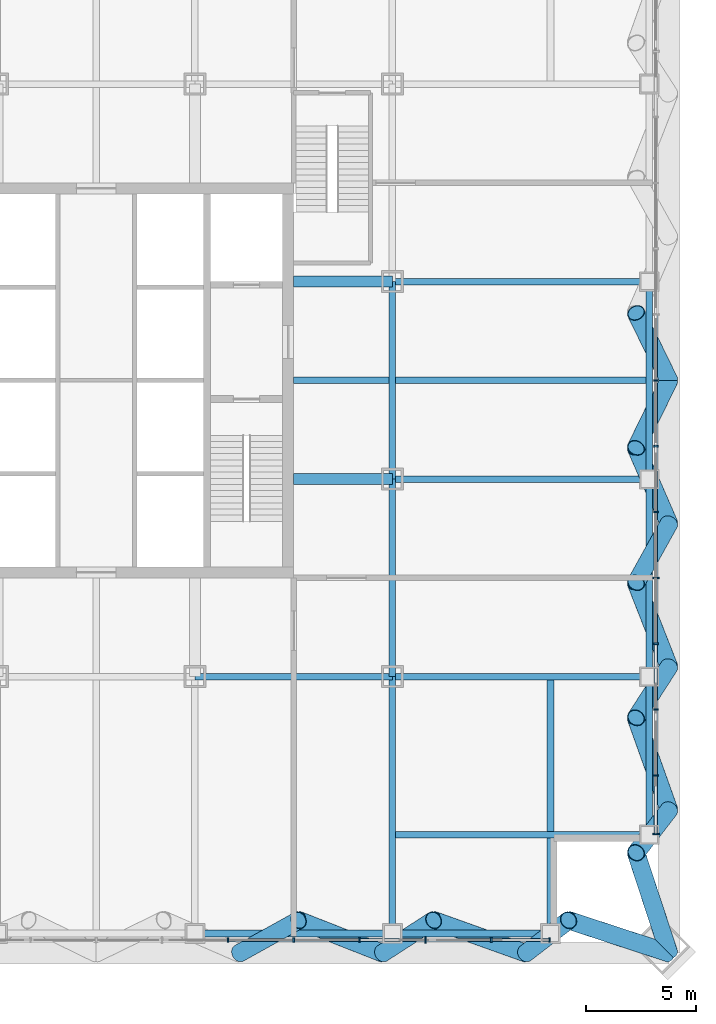
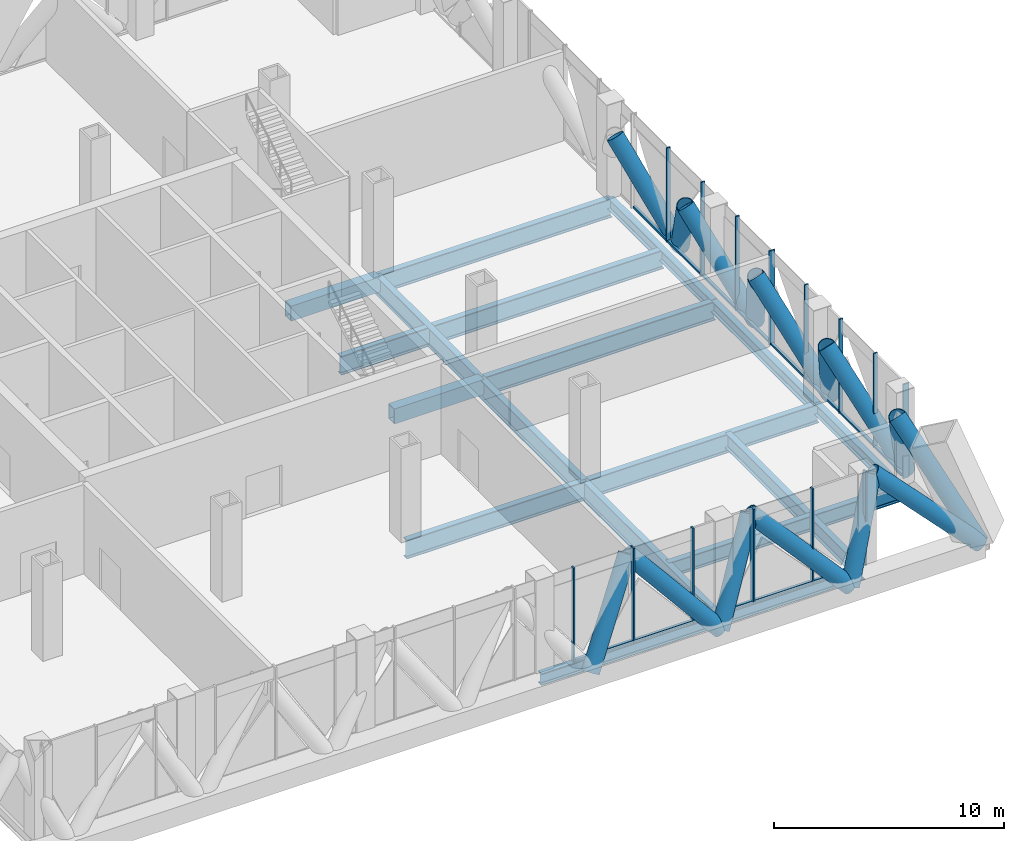
# One storey, part 7 of 26: 42 members, 17 beams, 2 elements without a shape of their own.
"""IFC4 building model written with IfcOpenShell, lengths in metres."""

from ifc_helpers import new_model, si_unit, direction, frame, origin, origin_2d, place, context, subcontext, project, spatial, rectangle, hollow_rectangle, hollow_circle, i_section, extrude, material, layer, layer_set, material_profile, profile_set, type_object, element, aggregate, save


model = new_model("IFC4")

# Units and contexts
model_context = context("Model", 3, precision=1e-05, world=origin(), true_north=direction((0.0, 1.0)))
body_context = subcontext(model_context, "Body", "Model", "MODEL_VIEW")
ifc_project = project(units=[si_unit("LENGTHUNIT", "METRE"), si_unit("AREAUNIT", "SQUARE_METRE"), si_unit("VOLUMEUNIT", "CUBIC_METRE"), si_unit("PLANEANGLEUNIT", "RADIAN"), si_unit("MASSUNIT", "GRAM", prefix="KILO")], contexts=[model_context])

# Site, building, storey
site_placement = place(None, origin())
site = spatial("IfcSite", under=ifc_project, at=site_placement, CompositionType="ELEMENT")
building_placement = place(site_placement, origin())
building = spatial("IfcBuilding", under=site, at=building_placement, Name="Malebo Sky Hospital", CompositionType="ELEMENT")
storey_placement = place(building_placement, frame((0.0, 0.0, 95.0)))
storey = spatial("IfcBuildingStorey", under=building, at=storey_placement, Name="L22", CompositionType="ELEMENT", Elevation=95.0)

# Curtain wall, members
ifc_material_1 = material(Name="Anodised aluminium, natural silver", Category="aluminium")
ifc_layer = layer(ifc_material_1, 0.25)
ifc_layer_set = layer_set([ifc_layer], Name="PLANT LOUVRE SCREEN")
curtain_wall_type = type_object("IfcCurtainWallType", Name="PLANT LOUVRE SCREEN", PredefinedType="NOTDEFINED", material=ifc_layer_set)
curtain_wall_1_placement = place(storey_placement, origin())
curtain_wall_1 = element("IfcCurtainWall", 1, at=curtain_wall_1_placement, inside=storey, type_object=curtain_wall_type, Name="PLANT curtain wall S", PredefinedType="NOTDEFINED")
ifc_material_profile_1 = material_profile(ifc_material_1, rectangle(XDim=0.14990234375, YDim=0.10009765625, at=origin_2d()), Name="ALUMINIUM TRANSOM 150x100")
ifc_profile_set_1 = profile_set([ifc_material_profile_1], Name="Anodised aluminium, natural silver")
member_type_1 = type_object("IfcMemberType", Name="ALUMINIUM TRANSOM 150x100", PredefinedType="USERDEFINED", material=ifc_profile_set_1)
member_1_placement = place(storey_placement, frame((80.625, 36.5, 0.050048828125), z_axis=(-1.0, 0.0, 0.0), x_axis=(0.0, -1.0, 0.0)))
member_1 = element("IfcMember", 2, at=member_1_placement, type_object=member_type_1, Name="Transom 1", ObjectType="TRANSOM", PredefinedType="USERDEFINED", context=body_context, shape_type="SweptSolid", body=[
    extrude(rectangle(XDim=0.14990234375, YDim=0.10009765625, at=origin_2d()), origin(), (0.0, 0.0, 1.0), 2.58740234375),
])
member_2_placement = place(storey_placement, frame((77.96240234375, 36.5, 0.050048828125), z_axis=(-1.0, 0.0, 0.0), x_axis=(0.0, -1.0, 0.0)))
member_2 = element("IfcMember", 3, at=member_2_placement, type_object=member_type_1, Name="Transom 2", ObjectType="TRANSOM", PredefinedType="USERDEFINED", context=body_context, shape_type="SweptSolid", body=[
    extrude(rectangle(XDim=0.14990234375, YDim=0.10009765625, at=origin_2d()), origin(), (0.0, 0.0, 1.0), 2.9248046875),
])
member_3_placement = place(storey_placement, frame((74.96240234375, 36.5, 0.050048828125), z_axis=(-1.0, 0.0, 0.0), x_axis=(0.0, -1.0, 0.0)))
member_3 = element("IfcMember", 4, at=member_3_placement, type_object=member_type_1, Name="Transom 3", ObjectType="TRANSOM", PredefinedType="USERDEFINED", context=body_context, shape_type="SweptSolid", body=[
    extrude(rectangle(XDim=0.14990234375, YDim=0.10009765625, at=origin_2d()), origin(), (0.0, 0.0, 1.0), 2.9248046875),
])
member_4_placement = place(storey_placement, frame((71.96240234375, 36.5, 0.050048828125), z_axis=(-1.0, 0.0, 0.0), x_axis=(0.0, -1.0, 0.0)))
member_4 = element("IfcMember", 5, at=member_4_placement, type_object=member_type_1, Name="Transom 4", ObjectType="TRANSOM", PredefinedType="USERDEFINED", context=body_context, shape_type="SweptSolid", body=[
    extrude(rectangle(XDim=0.14990234375, YDim=0.10009765625, at=origin_2d()), origin(), (0.0, 0.0, 1.0), 2.9248046875),
])
member_5_placement = place(storey_placement, frame((68.96240234375, 36.5, 0.050048828125), z_axis=(-1.0, 0.0, 0.0), x_axis=(0.0, -1.0, 0.0)))
member_5 = element("IfcMember", 6, at=member_5_placement, type_object=member_type_1, Name="Transom 5", ObjectType="TRANSOM", PredefinedType="USERDEFINED", context=body_context, shape_type="SweptSolid", body=[
    extrude(rectangle(XDim=0.14990234375, YDim=0.10009765625, at=origin_2d()), origin(), (0.0, 0.0, 1.0), 2.9248046875),
])

curtain_wall_2_placement = place(storey_placement, origin())
curtain_wall_2 = element("IfcCurtainWall", 7, at=curtain_wall_2_placement, inside=storey, type_object=curtain_wall_type, Name="PLANT curtain wall E", PredefinedType="NOTDEFINED")
member_6_placement = place(storey_placement, frame((85.5, 64.96240234375, 0.050048828125), z_axis=(0.0, -1.0, 0.0), x_axis=(1.0, 0.0, 0.0)))
member_6 = element("IfcMember", 8, at=member_6_placement, type_object=member_type_1, Name="Transom 7", ObjectType="TRANSOM", PredefinedType="USERDEFINED", context=body_context, shape_type="SweptSolid", body=[
    extrude(rectangle(XDim=0.14990234375, YDim=0.10009765625, at=origin_2d()), origin(), (0.0, 0.0, 1.0), 2.9248046875),
])
member_7_placement = place(storey_placement, frame((85.5, 61.96240234375, 0.050048828125), z_axis=(0.0, -1.0, 0.0), x_axis=(1.0, 0.0, 0.0)))
member_7 = element("IfcMember", 9, at=member_7_placement, type_object=member_type_1, Name="Transom 8", ObjectType="TRANSOM", PredefinedType="USERDEFINED", context=body_context, shape_type="SweptSolid", body=[
    extrude(rectangle(XDim=0.14990234375, YDim=0.10009765625, at=origin_2d()), origin(), (0.0, 0.0, 1.0), 2.9248046875),
])
member_8_placement = place(storey_placement, frame((85.5, 58.96240234375, 0.050048828125), z_axis=(0.0, -1.0, 0.0), x_axis=(1.0, 0.0, 0.0)))
member_8 = element("IfcMember", 10, at=member_8_placement, type_object=member_type_1, Name="Transom 9", ObjectType="TRANSOM", PredefinedType="USERDEFINED", context=body_context, shape_type="SweptSolid", body=[
    extrude(rectangle(XDim=0.14990234375, YDim=0.10009765625, at=origin_2d()), origin(), (0.0, 0.0, 1.0), 2.9248046875),
])
member_9_placement = place(storey_placement, frame((85.5, 55.96240234375, 0.050048828125), z_axis=(0.0, -1.0, 0.0), x_axis=(1.0, 0.0, 0.0)))
member_9 = element("IfcMember", 11, at=member_9_placement, type_object=member_type_1, Name="Transom 10", ObjectType="TRANSOM", PredefinedType="USERDEFINED", context=body_context, shape_type="SweptSolid", body=[
    extrude(rectangle(XDim=0.14990234375, YDim=0.10009765625, at=origin_2d()), origin(), (0.0, 0.0, 1.0), 2.9248046875),
])
member_10_placement = place(storey_placement, frame((85.5, 52.96240234375, 0.050048828125), z_axis=(0.0, -1.0, 0.0), x_axis=(1.0, 0.0, 0.0)))
member_10 = element("IfcMember", 12, at=member_10_placement, type_object=member_type_1, Name="Transom 11", ObjectType="TRANSOM", PredefinedType="USERDEFINED", context=body_context, shape_type="SweptSolid", body=[
    extrude(rectangle(XDim=0.14990234375, YDim=0.10009765625, at=origin_2d()), origin(), (0.0, 0.0, 1.0), 2.9248046875),
])
member_11_placement = place(storey_placement, frame((85.5, 49.96240234375, 0.050048828125), z_axis=(0.0, -1.0, 0.0), x_axis=(1.0, 0.0, 0.0)))
member_11 = element("IfcMember", 13, at=member_11_placement, type_object=member_type_1, Name="Transom 12", ObjectType="TRANSOM", PredefinedType="USERDEFINED", context=body_context, shape_type="SweptSolid", body=[
    extrude(rectangle(XDim=0.14990234375, YDim=0.10009765625, at=origin_2d()), origin(), (0.0, 0.0, 1.0), 2.9248046875),
])
member_12_placement = place(storey_placement, frame((85.5, 46.96240234375, 0.050048828125), z_axis=(0.0, -1.0, 0.0), x_axis=(1.0, 0.0, 0.0)))
member_12 = element("IfcMember", 14, at=member_12_placement, type_object=member_type_1, Name="Transom 13", ObjectType="TRANSOM", PredefinedType="USERDEFINED", context=body_context, shape_type="SweptSolid", body=[
    extrude(rectangle(XDim=0.14990234375, YDim=0.10009765625, at=origin_2d()), origin(), (0.0, 0.0, 1.0), 2.9248046875),
])
member_13_placement = place(storey_placement, frame((85.5, 43.96240234375, 0.050048828125), z_axis=(0.0, -1.0, 0.0), x_axis=(1.0, 0.0, 0.0)))
member_13 = element("IfcMember", 15, at=member_13_placement, type_object=member_type_1, Name="Transom 14", ObjectType="TRANSOM", PredefinedType="USERDEFINED", context=body_context, shape_type="SweptSolid", body=[
    extrude(rectangle(XDim=0.14990234375, YDim=0.10009765625, at=origin_2d()), origin(), (0.0, 0.0, 1.0), 2.58740234375),
])

# Members
ifc_material_2 = material(Name="Steel S460", Category="steel")
ifc_material_profile_2 = material_profile(ifc_material_2, hollow_circle(Radius=0.406494140625, WallThickness=0.030029296875, at=origin_2d()), Name="CHS 813x30")
ifc_profile_set_2 = profile_set([ifc_material_profile_2], Name="Steel S460")
member_type_2 = type_object("IfcMemberType", Name="BELT TRUSS DIAGONAL CHS 813x30", PredefinedType="BRACE", material=ifc_profile_set_2)
member_14_placement = place(storey_placement, frame((66.52490234375, 35.89990234375, -0.39990234375), z_axis=(0.498473451586, 0.276909664245, 0.821489656606), x_axis=(-0.48561608749, 0.874172188743, 0.0)))
element("IfcMember", 16, at=member_14_placement, inside=storey, type_object=member_type_2, Name="Belt truss diagonal S6.1 L22", PredefinedType="BRACE", context=body_context, shape_type="SweptSolid", body=[
    extrude(hollow_circle(Radius=0.406494140625, WallThickness=0.030029296875, at=origin_2d()), origin(), (0.0, 0.0, 1.0), 5.4169921875),
])
member_15_placement = place(storey_placement, frame((69.22509765625, 37.39990234375, 4.050048828125), z_axis=(0.631535133578, -0.247663998258, -0.734728466186), x_axis=(0.365091568196, 0.930971614408, 0.0)))
element("IfcMember", 17, at=member_15_placement, inside=storey, type_object=member_type_2, Name="Belt truss diagonal S6.2 L22", PredefinedType="BRACE", context=body_context, shape_type="SweptSolid", body=[
    extrude(hollow_circle(Radius=0.406494140625, WallThickness=0.030029296875, at=origin_2d()), origin(), (0.0, 0.0, 1.0), 6.056640625),
])
member_16_placement = place(storey_placement, frame((73.050048828125, 35.89990234375, -0.39990234375), z_axis=(0.443694075542, 0.286260254135, 0.849229435566), x_axis=(-0.542134909125, 0.840291461523, 0.0)))
element("IfcMember", 18, at=member_16_placement, inside=storey, type_object=member_type_2, Name="Belt truss diagonal S7.1 L22", PredefinedType="BRACE", context=body_context, shape_type="SweptSolid", body=[
    extrude(hollow_circle(Radius=0.406494140625, WallThickness=0.030029296875, at=origin_2d()), origin(), (0.0, 0.0, 1.0), 5.239990234375),
])
member_17_placement = place(storey_placement, frame((75.375, 37.39990234375, 4.050048828125), z_axis=(0.666645015044, -0.238090273349, -0.706326727269), x_axis=(0.336339864867, 0.941740673063, 0.0)))
element("IfcMember", 19, at=member_17_placement, inside=storey, type_object=member_type_2, Name="Belt truss diagonal S7.2 L22", PredefinedType="BRACE", context=body_context, shape_type="SweptSolid", body=[
    extrude(hollow_circle(Radius=0.406494140625, WallThickness=0.030029296875, at=origin_2d()), origin(), (0.0, 0.0, 1.0), 6.300048828125),
])
member_18_placement = place(storey_placement, frame((79.574951171875, 35.89990234375, -0.39990234375), z_axis=(0.383492358509, 0.295001508786, 0.875161539819), x_axis=(-0.609720352615, 0.792616610731, 0.0)))
element("IfcMember", 20, at=member_18_placement, inside=storey, type_object=member_type_2, Name="Belt truss diagonal S8.1 L22", PredefinedType="BRACE", context=body_context, shape_type="SweptSolid", body=[
    extrude(hollow_circle(Radius=0.406494140625, WallThickness=0.030029296875, at=origin_2d()), origin(), (0.0, 0.0, 1.0), 5.084716796875),
])
for number, where, z_axis, x_axis, name in (
    (21, (81.52490234375, 37.39990234375, 4.050048828125), (0.697836710341, -0.228789154127, -0.678733709679), (0.311538660116, 0.950233478285, 0.0), "Belt truss diagonal S8.2 L22"),
    (22, (86.10009765625, 35.89990234375, -0.39990234375), (-0.228789154127, 0.697836710341, 0.678733709679), (-0.950233478285, -0.311538660116, 0.0), "Belt truss diagonal E1.1 L22"),
):
    element("IfcMember", number, at=place(storey_placement, frame(where, z_axis=z_axis, x_axis=x_axis)), inside=storey, type_object=member_type_2, Name=name, PredefinedType="BRACE", context=body_context, shape_type="SweptSolid", body=[
        extrude(hollow_circle(Radius=0.406494140625, WallThickness=0.030029296875, at=origin_2d()), origin(), (0.0, 0.0, 1.0), 6.55615234375),
    ])
member_19_placement = place(storey_placement, frame((84.60009765625, 40.47509765625, 4.050048828125), z_axis=(0.295001508786, 0.383492358509, -0.875161539819), x_axis=(-0.792616610731, 0.609720352615, 0.0)))
element("IfcMember", 23, at=member_19_placement, inside=storey, type_object=member_type_2, Name="Belt truss diagonal E1.2 L22", PredefinedType="BRACE", context=body_context, shape_type="SweptSolid", body=[
    extrude(hollow_circle(Radius=0.406494140625, WallThickness=0.030029296875, at=origin_2d()), origin(), (0.0, 0.0, 1.0), 5.084716796875),
])
member_20_placement = place(storey_placement, frame((86.10009765625, 42.425048828125, -0.39990234375), z_axis=(-0.238090273349, 0.666645015044, 0.706326727269), x_axis=(-0.941740673063, -0.336339864867, 0.0)))
element("IfcMember", 24, at=member_20_placement, inside=storey, type_object=member_type_2, Name="Belt truss diagonal E2.1 L22", PredefinedType="BRACE", context=body_context, shape_type="SweptSolid", body=[
    extrude(hollow_circle(Radius=0.406494140625, WallThickness=0.030029296875, at=origin_2d()), origin(), (0.0, 0.0, 1.0), 6.300048828125),
])
member_21_placement = place(storey_placement, frame((84.60009765625, 46.625, 4.050048828125), z_axis=(0.286260254135, 0.443694075542, -0.849229435566), x_axis=(-0.840291461523, 0.542134909125, 0.0)))
element("IfcMember", 25, at=member_21_placement, inside=storey, type_object=member_type_2, Name="Belt truss diagonal E2.2 L22", PredefinedType="BRACE", context=body_context, shape_type="SweptSolid", body=[
    extrude(hollow_circle(Radius=0.406494140625, WallThickness=0.030029296875, at=origin_2d()), origin(), (0.0, 0.0, 1.0), 5.239990234375),
])
member_22_placement = place(storey_placement, frame((86.10009765625, 48.949951171875, -0.39990234375), z_axis=(-0.247663998258, 0.631535133578, 0.734728466186), x_axis=(-0.930971614408, -0.365091568196, 0.0)))
element("IfcMember", 26, at=member_22_placement, inside=storey, type_object=member_type_2, Name="Belt truss diagonal E3.1 L22", PredefinedType="BRACE", context=body_context, shape_type="SweptSolid", body=[
    extrude(hollow_circle(Radius=0.406494140625, WallThickness=0.030029296875, at=origin_2d()), origin(), (0.0, 0.0, 1.0), 6.056640625),
])
member_23_placement = place(storey_placement, frame((84.60009765625, 52.77490234375, 4.050048828125), z_axis=(0.276909664245, 0.498473451586, -0.821489656606), x_axis=(-0.874172188743, 0.48561608749, 0.0)))
element("IfcMember", 27, at=member_23_placement, inside=storey, type_object=member_type_2, Name="Belt truss diagonal E3.2 L22", PredefinedType="BRACE", context=body_context, shape_type="SweptSolid", body=[
    extrude(hollow_circle(Radius=0.406494140625, WallThickness=0.030029296875, at=origin_2d()), origin(), (0.0, 0.0, 1.0), 5.4169921875),
])
member_24_placement = place(storey_placement, frame((86.10009765625, 55.47509765625, -0.39990234375), z_axis=(-0.257421208857, 0.592060400775, 0.763674540013), x_axis=(-0.917067992724, -0.398730857498, 0.0)))
element("IfcMember", 28, at=member_24_placement, inside=storey, type_object=member_type_2, Name="Belt truss diagonal E4.1 L22", PredefinedType="BRACE", context=body_context, shape_type="SweptSolid", body=[
    extrude(hollow_circle(Radius=0.406494140625, WallThickness=0.030029296875, at=origin_2d()), origin(), (0.0, 0.0, 1.0), 5.826904296875),
])
for number, where, z_axis, x_axis, name in (
    (29, (84.60009765625, 58.925048828125, 4.050048828125), (0.26722989666, 0.547812589262, -0.792773327867), (-0.898765702371, 0.438429255686, 0.0), "Belt truss diagonal E4.2 L22"),
    (30, (86.10009765625, 62.0, -0.39990234375), (-0.26722989666, 0.547812589262, 0.792773327867), (-0.898765702371, -0.438429255686, 0.0), "Belt truss diagonal E5.1 L22"),
):
    element("IfcMember", number, at=place(storey_placement, frame(where, z_axis=z_axis, x_axis=x_axis)), inside=storey, type_object=member_type_2, Name=name, PredefinedType="BRACE", context=body_context, shape_type="SweptSolid", body=[
        extrude(hollow_circle(Radius=0.406494140625, WallThickness=0.030029296875, at=origin_2d()), origin(), (0.0, 0.0, 1.0), 5.613037109375),
    ])

# Member
ifc_material_profile_3 = material_profile(ifc_material_1, rectangle(XDim=0.074951171875, YDim=0.199951171875, at=origin_2d()), Name="CW5 ALUMINIUM FIN MULLION 75x200")
ifc_profile_set_3 = profile_set([ifc_material_profile_3], Name="Anodised aluminium, natural silver")
member_type_3 = type_object("IfcMemberType", Name="CW5 ALUMINIUM FIN MULLION 75x200", PredefinedType="MULLION", material=ifc_profile_set_3)
member_25_placement = place(storey_placement, frame((80.66259765625, 36.5, 0.0), z_axis=(0.0, 0.0, 1.0), x_axis=(-1.0, 0.0, 0.0)))
member_25 = element("IfcMember", 31, at=member_25_placement, type_object=member_type_3, Name="Fin mullion 1", PredefinedType="MULLION", context=body_context, shape_type="SweptSolid", body=[
    extrude(rectangle(XDim=0.074951171875, YDim=0.199951171875, at=origin_2d()), origin(), (0.0, 0.0, 1.0), 5.0),
])

member_26_placement = place(storey_placement, frame((78.0, 36.5, 0.0), z_axis=(0.0, 0.0, 1.0), x_axis=(-1.0, 0.0, 0.0)))
member_26 = element("IfcMember", 32, at=member_26_placement, type_object=member_type_3, Name="Fin mullion 2", PredefinedType="MULLION", context=body_context, shape_type="SweptSolid", body=[
    extrude(rectangle(XDim=0.074951171875, YDim=0.199951171875, at=origin_2d()), origin(), (0.0, 0.0, 1.0), 5.0),
])

member_27_placement = place(storey_placement, frame((72.0, 36.5, 0.0), z_axis=(0.0, 0.0, 1.0), x_axis=(-1.0, 0.0, 0.0)))
member_27 = element("IfcMember", 33, at=member_27_placement, type_object=member_type_3, Name="Fin mullion 4", PredefinedType="MULLION", context=body_context, shape_type="SweptSolid", body=[
    extrude(rectangle(XDim=0.074951171875, YDim=0.199951171875, at=origin_2d()), origin(), (0.0, 0.0, 1.0), 5.0),
])

member_28_placement = place(storey_placement, frame((69.0, 36.5, 0.0), z_axis=(0.0, 0.0, 1.0), x_axis=(-1.0, 0.0, 0.0)))
member_28 = element("IfcMember", 34, at=member_28_placement, type_object=member_type_3, Name="Fin mullion 5", PredefinedType="MULLION", context=body_context, shape_type="SweptSolid", body=[
    extrude(rectangle(XDim=0.074951171875, YDim=0.199951171875, at=origin_2d()), origin(), (0.0, 0.0, 1.0), 5.0),
])

member_29_placement = place(storey_placement, frame((66.0, 36.5, 0.0), z_axis=(0.0, 0.0, 1.0), x_axis=(-1.0, 0.0, 0.0)))
member_29 = element("IfcMember", 35, at=member_29_placement, type_object=member_type_3, Name="Fin mullion 6", PredefinedType="MULLION", context=body_context, shape_type="SweptSolid", body=[
    extrude(rectangle(XDim=0.074951171875, YDim=0.199951171875, at=origin_2d()), origin(), (0.0, 0.0, 1.0), 5.0),
])

member_30_placement = place(storey_placement, frame((85.5, 62.0, 0.0), z_axis=(0.0, 0.0, 1.0), x_axis=(0.0, -1.0, 0.0)))
member_30 = element("IfcMember", 36, at=member_30_placement, type_object=member_type_3, Name="Fin mullion 8", PredefinedType="MULLION", context=body_context, shape_type="SweptSolid", body=[
    extrude(rectangle(XDim=0.074951171875, YDim=0.199951171875, at=origin_2d()), origin(), (0.0, 0.0, 1.0), 5.0),
])

member_31_placement = place(storey_placement, frame((85.5, 59.0, 0.0), z_axis=(0.0, 0.0, 1.0), x_axis=(0.0, -1.0, 0.0)))
member_31 = element("IfcMember", 37, at=member_31_placement, type_object=member_type_3, Name="Fin mullion 9", PredefinedType="MULLION", context=body_context, shape_type="SweptSolid", body=[
    extrude(rectangle(XDim=0.074951171875, YDim=0.199951171875, at=origin_2d()), origin(), (0.0, 0.0, 1.0), 5.0),
])

member_32_placement = place(storey_placement, frame((85.5, 56.0, 0.0), z_axis=(0.0, 0.0, 1.0), x_axis=(0.0, -1.0, 0.0)))
member_32 = element("IfcMember", 38, at=member_32_placement, type_object=member_type_3, Name="Fin mullion 10", PredefinedType="MULLION", context=body_context, shape_type="SweptSolid", body=[
    extrude(rectangle(XDim=0.074951171875, YDim=0.199951171875, at=origin_2d()), origin(), (0.0, 0.0, 1.0), 5.0),
])

member_33_placement = place(storey_placement, frame((85.5, 50.0, 0.0), z_axis=(0.0, 0.0, 1.0), x_axis=(0.0, -1.0, 0.0)))
member_33 = element("IfcMember", 39, at=member_33_placement, type_object=member_type_3, Name="Fin mullion 12", PredefinedType="MULLION", context=body_context, shape_type="SweptSolid", body=[
    extrude(rectangle(XDim=0.074951171875, YDim=0.199951171875, at=origin_2d()), origin(), (0.0, 0.0, 1.0), 5.0),
])

member_34_placement = place(storey_placement, frame((85.5, 47.0, 0.0), z_axis=(0.0, 0.0, 1.0), x_axis=(0.0, -1.0, 0.0)))
member_34 = element("IfcMember", 40, at=member_34_placement, type_object=member_type_3, Name="Fin mullion 13", PredefinedType="MULLION", context=body_context, shape_type="SweptSolid", body=[
    extrude(rectangle(XDim=0.074951171875, YDim=0.199951171875, at=origin_2d()), origin(), (0.0, 0.0, 1.0), 5.0),
])

member_35_placement = place(storey_placement, frame((85.5, 44.0, 0.0), z_axis=(0.0, 0.0, 1.0), x_axis=(0.0, -1.0, 0.0)))
member_35 = element("IfcMember", 41, at=member_35_placement, type_object=member_type_3, Name="Fin mullion 14", PredefinedType="MULLION", context=body_context, shape_type="SweptSolid", body=[
    extrude(rectangle(XDim=0.074951171875, YDim=0.199951171875, at=origin_2d()), origin(), (0.0, 0.0, 1.0), 5.0),
])

ifc_material_profile_4 = material_profile(ifc_material_1, rectangle(XDim=0.074951171875, YDim=0.300048828125, at=origin_2d()), Name="CW5 ALUMINIUM FIN MULLION 75x300")
ifc_profile_set_4 = profile_set([ifc_material_profile_4], Name="Anodised aluminium, natural silver")
member_type_4 = type_object("IfcMemberType", Name="CW5 ALUMINIUM FIN MULLION 75x300", PredefinedType="MULLION", material=ifc_profile_set_4)
member_36_placement = place(storey_placement, frame((75.0, 36.5, 0.0), z_axis=(0.0, 0.0, 1.0), x_axis=(-1.0, 0.0, 0.0)))
member_36 = element("IfcMember", 42, at=member_36_placement, type_object=member_type_4, Name="Fin mullion 3", PredefinedType="MULLION", context=body_context, shape_type="SweptSolid", body=[
    extrude(rectangle(XDim=0.074951171875, YDim=0.300048828125, at=origin_2d()), origin(), (0.0, 0.0, 1.0), 5.0),
])

aggregate(curtain_wall_1, [member_25, member_26, member_36, member_27, member_28, member_29, member_1, member_2, member_3, member_4, member_5])

member_37_placement = place(storey_placement, frame((85.5, 53.0, 0.0), z_axis=(0.0, 0.0, 1.0), x_axis=(0.0, -1.0, 0.0)))
member_37 = element("IfcMember", 43, at=member_37_placement, type_object=member_type_4, Name="Fin mullion 11", PredefinedType="MULLION", context=body_context, shape_type="SweptSolid", body=[
    extrude(rectangle(XDim=0.074951171875, YDim=0.300048828125, at=origin_2d()), origin(), (0.0, 0.0, 1.0), 5.0),
])

member_38_placement = place(storey_placement, frame((85.5, 41.33740234375, 0.0), z_axis=(0.0, 0.0, 1.0), x_axis=(0.0, -1.0, 0.0)))
member_38 = element("IfcMember", 44, at=member_38_placement, type_object=member_type_4, Name="Fin mullion 15", PredefinedType="MULLION", context=body_context, shape_type="SweptSolid", body=[
    extrude(rectangle(XDim=0.074951171875, YDim=0.300048828125, at=origin_2d()), origin(), (0.0, 0.0, 1.0), 5.0),
])

aggregate(curtain_wall_2, [member_30, member_31, member_32, member_37, member_33, member_34, member_35, member_38, member_6, member_7, member_8, member_9, member_10, member_11, member_12, member_13])

# Beams
ifc_material_3 = material(Name="Steel S355", Category="steel")
ifc_material_profile_5 = material_profile(ifc_material_3, i_section(OverallWidth=0.304931640625, OverallDepth=0.6201171875, WebThickness=0.02099609375, FlangeThickness=0.0400390625, FilletRadius=0.027099609375, at=origin_2d()), Name="HEM 600")
ifc_profile_set_5 = profile_set([ifc_material_profile_5], Name="Steel S355")
beam_type_1 = type_object("IfcBeamType", Name="EDGE BEAM HEM 600", PredefinedType="BEAM", material=ifc_profile_set_5)
beam_1_placement = place(storey_placement, frame((85.199951171875, 41.300048828125, -0.56005859375), z_axis=(0.0, 1.0, 0.0), x_axis=(-1.0, 0.0, 0.0)))
element("IfcBeam", 45, at=beam_1_placement, inside=storey, type_object=beam_type_1, Name="Beam 029 L22", PredefinedType="BEAM", context=body_context, shape_type="SweptSolid", body=[
    extrude(i_section(OverallWidth=0.304931640625, OverallDepth=0.6201171875, WebThickness=0.02099609375, FlangeThickness=0.0400390625, FilletRadius=0.027099609375, at=origin_2d()), origin(), (0.0, 0.0, 1.0), 7.199951171875),
])
for number, where, z_axis, x_axis, name in (
    (46, (85.199951171875, 48.5, -0.56005859375), (0.0, 1.0, 0.0), (-1.0, 0.0, 0.0), "Beam 030 L22"),
    (47, (85.199951171875, 57.5, -0.56005859375), (0.0, 1.0, 0.0), (-1.0, 0.0, 0.0), "Beam 031 L22"),
    (48, (64.5, 36.800048828125, -0.56005859375), (1.0, 0.0, 0.0), (0.0, 1.0, 0.0), "Beam 037 L22"),
):
    element("IfcBeam", number, at=place(storey_placement, frame(where, z_axis=z_axis, x_axis=x_axis)), inside=storey, type_object=beam_type_1, Name=name, PredefinedType="BEAM", context=body_context, shape_type="SweptSolid", body=[
        extrude(i_section(OverallWidth=0.304931640625, OverallDepth=0.6201171875, WebThickness=0.02099609375, FlangeThickness=0.0400390625, FilletRadius=0.027099609375, at=origin_2d()), origin(), (0.0, 0.0, 1.0), 9.0),
    ])
beam_2_placement = place(storey_placement, frame((73.5, 36.800048828125, -0.56005859375), z_axis=(1.0, 0.0, 0.0), x_axis=(0.0, 1.0, 0.0)))
element("IfcBeam", 49, at=beam_2_placement, inside=storey, type_object=beam_type_1, Name="Beam 038 L22", PredefinedType="BEAM", context=body_context, shape_type="SweptSolid", body=[
    extrude(i_section(OverallWidth=0.304931640625, OverallDepth=0.6201171875, WebThickness=0.02099609375, FlangeThickness=0.0400390625, FilletRadius=0.027099609375, at=origin_2d()), origin(), (0.0, 0.0, 1.0), 7.199951171875),
])
ifc_material_profile_6 = material_profile(ifc_material_3, i_section(OverallWidth=0.300048828125, OverallDepth=1.0, WebThickness=0.01904296875, FlangeThickness=0.035888671875, FilletRadius=0.030029296875, at=origin_2d()), Name="HEB 1000")
ifc_profile_set_6 = profile_set([ifc_material_profile_6], Name="Steel S355")
beam_type_2 = type_object("IfcBeamType", Name="FLOOR BEAM HEB 1000", PredefinedType="BEAM", material=ifc_profile_set_6)
for number, where, z_axis, x_axis, name in (
    (50, (73.5, 48.5, -0.75), (0.0, 1.0, 0.0), (-1.0, 0.0, 0.0), "Beam 023 L22"),
    (51, (64.5, 48.5, -0.75), (1.0, 0.0, 0.0), (0.0, 1.0, 0.0), "Beam 044 L22"),
):
    element("IfcBeam", number, at=place(storey_placement, frame(where, z_axis=z_axis, x_axis=x_axis)), inside=storey, type_object=beam_type_2, Name=name, PredefinedType="BEAM", context=body_context, shape_type="SweptSolid", body=[
        extrude(i_section(OverallWidth=0.300048828125, OverallDepth=1.0, WebThickness=0.01904296875, FlangeThickness=0.035888671875, FilletRadius=0.030029296875, at=origin_2d()), origin(), (0.0, 0.0, 1.0), 9.0),
    ])
beam_3_placement = place(storey_placement, frame((73.5, 57.5, -0.75), z_axis=(1.0, 0.0, 0.0), x_axis=(0.0, 1.0, 0.0)))
element("IfcBeam", 52, at=beam_3_placement, inside=storey, type_object=beam_type_2, Name="Beam 049 L22", PredefinedType="BEAM", context=body_context, shape_type="SweptSolid", body=[
    extrude(i_section(OverallWidth=0.300048828125, OverallDepth=1.0, WebThickness=0.01904296875, FlangeThickness=0.035888671875, FilletRadius=0.030029296875, at=origin_2d()), origin(), (0.0, 0.0, 1.0), 11.699951171875),
])
beam_4_placement = place(storey_placement, frame((69.0, 62.0, -0.75), z_axis=(1.0, 0.0, 0.0), x_axis=(0.0, 1.0, 0.0)))
element("IfcBeam", 53, at=beam_4_placement, inside=storey, type_object=beam_type_2, Name="Beam 051 L22", PredefinedType="BEAM", context=body_context, shape_type="SweptSolid", body=[
    extrude(i_section(OverallWidth=0.300048828125, OverallDepth=1.0, WebThickness=0.01904296875, FlangeThickness=0.035888671875, FilletRadius=0.030029296875, at=origin_2d()), origin(), (0.0, 0.0, 1.0), 16.199951171875),
])
beam_5_placement = place(storey_placement, frame((73.5, 66.5, -0.75), z_axis=(1.0, 0.0, 0.0), x_axis=(0.0, 1.0, 0.0)))
element("IfcBeam", 54, at=beam_5_placement, inside=storey, type_object=beam_type_2, Name="Beam 055 L22", PredefinedType="BEAM", context=body_context, shape_type="SweptSolid", body=[
    extrude(i_section(OverallWidth=0.300048828125, OverallDepth=1.0, WebThickness=0.01904296875, FlangeThickness=0.035888671875, FilletRadius=0.030029296875, at=origin_2d()), origin(), (0.0, 0.0, 1.0), 11.699951171875),
])
ifc_material_profile_7 = material_profile(ifc_material_3, i_section(OverallWidth=0.300048828125, OverallDepth=0.800048828125, WebThickness=0.017578125, FlangeThickness=0.032958984375, FilletRadius=0.030029296875, at=origin_2d()), Name="HEB 800")
ifc_profile_set_7 = profile_set([ifc_material_profile_7], Name="Steel S355")
beam_type_3 = type_object("IfcBeamType", Name="FLOOR BEAM HEB 800", PredefinedType="BEAM", material=ifc_profile_set_7)
for number, where, z_axis, x_axis, name in (
    (55, (80.699951171875, 36.800048828125, -0.64990234375), (0.0, 1.0, 0.0), (-1.0, 0.0, 0.0), "Beam 027 L22"),
    (56, (73.5, 41.300048828125, -0.64990234375), (1.0, 0.0, 0.0), (0.0, 1.0, 0.0), "Beam 040 L22"),
):
    element("IfcBeam", number, at=place(storey_placement, frame(where, z_axis=z_axis, x_axis=x_axis)), inside=storey, type_object=beam_type_3, Name=name, PredefinedType="BEAM", context=body_context, shape_type="SweptSolid", body=[
        extrude(i_section(OverallWidth=0.300048828125, OverallDepth=0.800048828125, WebThickness=0.017578125, FlangeThickness=0.032958984375, FilletRadius=0.030029296875, at=origin_2d()), origin(), (0.0, 0.0, 1.0), 11.699951171875),
    ])
ifc_material_profile_8 = material_profile(ifc_material_3, i_section(OverallWidth=0.300048828125, OverallDepth=1.0, WebThickness=0.01904296875, FlangeThickness=0.035888671875, FilletRadius=0.030029296875, at=origin_2d()), Name="HEB 1000")
ifc_profile_set_8 = profile_set([ifc_material_profile_8], Name="Steel S355")
beam_type_4 = type_object("IfcBeamType", Name="FLOOR GIRDER HEB 1000", PredefinedType="BEAM", material=ifc_profile_set_8)
for number, where, z_axis, x_axis, name in (
    (57, (73.5, 36.800048828125, -0.75), (0.0, 1.0, 0.0), (-1.0, 0.0, 0.0), "Beam 022 L22"),
    (58, (73.5, 48.5, -0.75), (1.0, 0.0, 0.0), (0.0, 1.0, 0.0), "Beam 045 L22"),
):
    element("IfcBeam", number, at=place(storey_placement, frame(where, z_axis=z_axis, x_axis=x_axis)), inside=storey, type_object=beam_type_4, Name=name, PredefinedType="BEAM", context=body_context, shape_type="SweptSolid", body=[
        extrude(i_section(OverallWidth=0.300048828125, OverallDepth=1.0, WebThickness=0.01904296875, FlangeThickness=0.035888671875, FilletRadius=0.030029296875, at=origin_2d()), origin(), (0.0, 0.0, 1.0), 11.699951171875),
    ])
ifc_material_profile_9 = material_profile(ifc_material_2, hollow_rectangle(XDim=0.5, YDim=0.800048828125, WallThickness=0.0400390625, at=origin_2d()), Name="BOX 800x500x40")
ifc_profile_set_9 = profile_set([ifc_material_profile_9], Name="Steel S460")
beam_type_5 = type_object("IfcBeamType", Name="LINK BEAM BOX 800x500x40", PredefinedType="BEAM", material=ifc_profile_set_9)
for number, where, z_axis, x_axis, name in (
    (59, (69.0, 57.5, -0.64990234375), (1.0, 0.0, 0.0), (0.0, 1.0, 0.0), "Beam 048 L22"),
    (60, (69.0, 66.5, -0.64990234375), (1.0, 0.0, 0.0), (0.0, 1.0, 0.0), "Beam 054 L22"),
):
    element("IfcBeam", number, at=place(storey_placement, frame(where, z_axis=z_axis, x_axis=x_axis)), inside=storey, type_object=beam_type_5, Name=name, PredefinedType="BEAM", context=body_context, shape_type="SweptSolid", body=[
        extrude(hollow_rectangle(XDim=0.5, YDim=0.800048828125, WallThickness=0.0400390625, at=origin_2d()), origin(), (0.0, 0.0, 1.0), 4.5),
    ])
ifc_material_profile_10 = material_profile(ifc_material_3, i_section(OverallWidth=0.300048828125, OverallDepth=1.0, WebThickness=0.01904296875, FlangeThickness=0.035888671875, FilletRadius=0.030029296875, at=origin_2d()), Name="HEB 1000")
ifc_profile_set_10 = profile_set([ifc_material_profile_10], Name="Steel S355")
beam_type_6 = type_object("IfcBeamType", Name="RING GIRDER HEB 1000", PredefinedType="BEAM", material=ifc_profile_set_10)
beam_6_placement = place(storey_placement, frame((73.5, 57.5, -0.75), z_axis=(0.0, 1.0, 0.0), x_axis=(-1.0, 0.0, 0.0)))
element("IfcBeam", 61, at=beam_6_placement, inside=storey, type_object=beam_type_6, Name="Beam 024 L22", PredefinedType="BEAM", context=body_context, shape_type="SweptSolid", body=[
    extrude(i_section(OverallWidth=0.300048828125, OverallDepth=1.0, WebThickness=0.01904296875, FlangeThickness=0.035888671875, FilletRadius=0.030029296875, at=origin_2d()), origin(), (0.0, 0.0, 1.0), 9.0),
])

save(model, "model.ifc")
